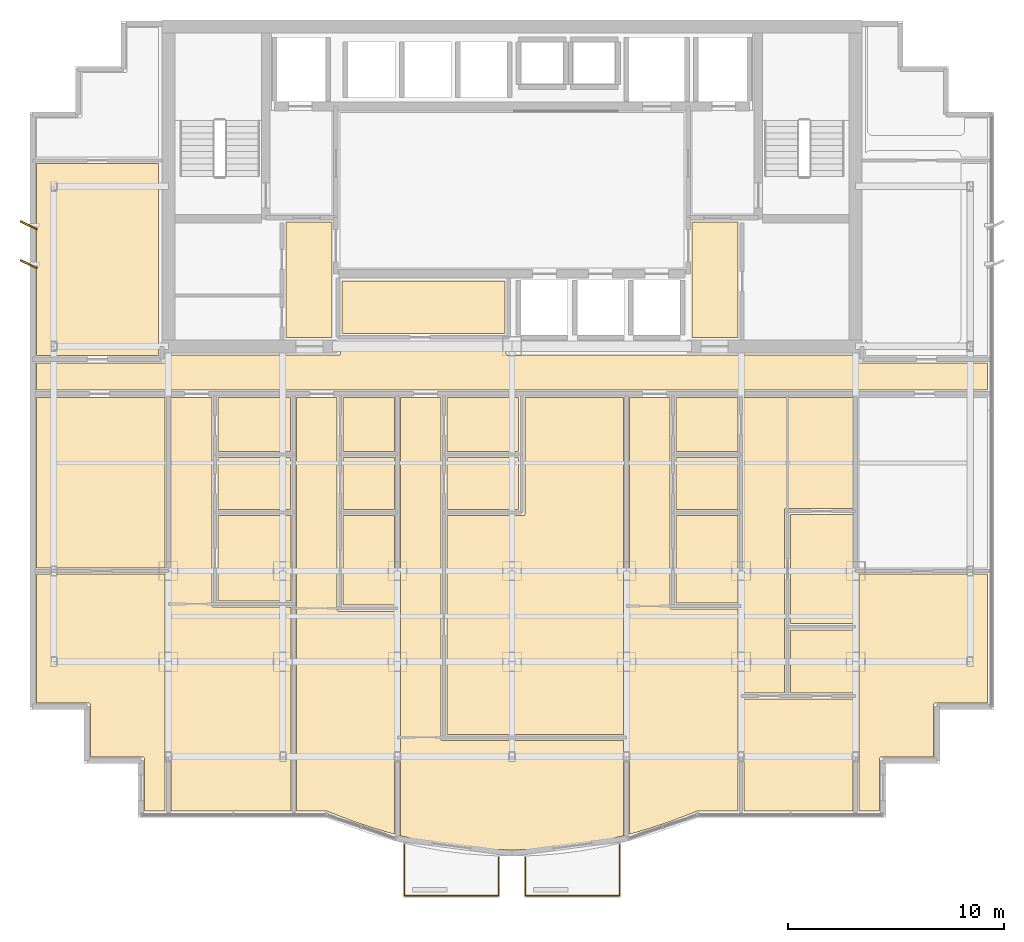
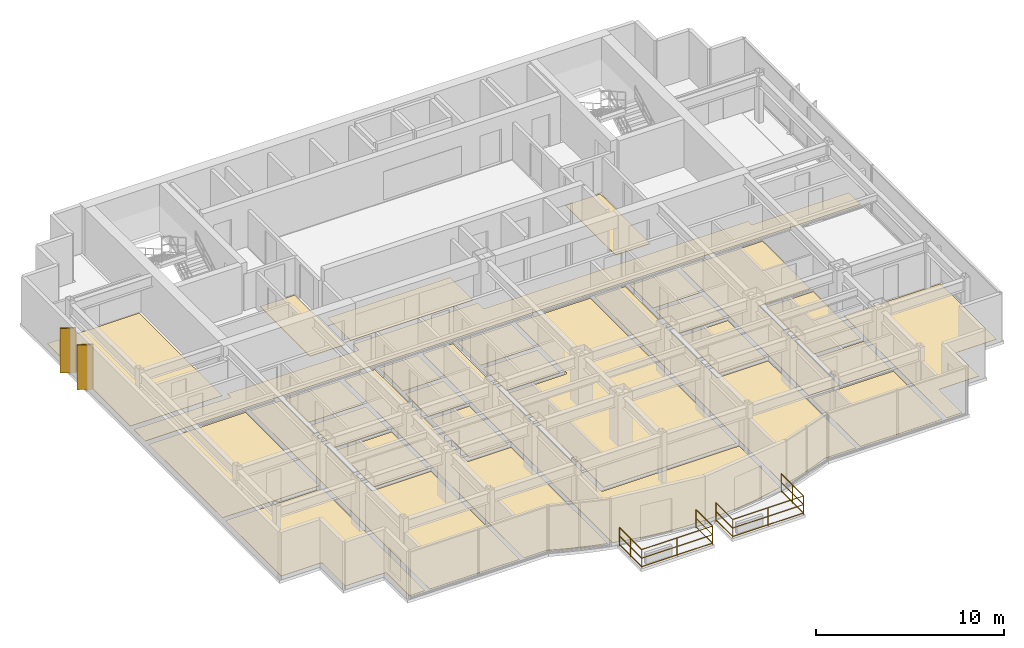
# One storey, part 12 of 13: 28 coverings, 2 railings, 2 shading devices.
"""IFC4 building model written with IfcOpenShell, lengths in metres."""

from ifc_helpers import new_model, si_unit, direction, frame, origin, origin_2d, place, context, subcontext, project, spatial, polyline, rectangle, circle, outline, extrude, source, transform, mapped, material, layer, layer_set, type_object, element, save


model = new_model("IFC4")

# Units and contexts
model_context = context("Model", 3, precision=1e-05, world=origin(), true_north=direction((0.0, 1.0)))
body_context = subcontext(model_context, "Body", "Model", "MODEL_VIEW")
ifc_project = project(units=[si_unit("LENGTHUNIT", "METRE"), si_unit("AREAUNIT", "SQUARE_METRE"), si_unit("VOLUMEUNIT", "CUBIC_METRE"), si_unit("PLANEANGLEUNIT", "RADIAN"), si_unit("MASSUNIT", "GRAM", prefix="KILO")], contexts=[model_context])

# Site, building, storey
site_placement = place(None, origin())
site = spatial("IfcSite", under=ifc_project, at=site_placement, CompositionType="ELEMENT")
building_placement = place(site_placement, origin())
building = spatial("IfcBuilding", under=site, at=building_placement, Name="Qianlan Lanfeng Residences", CompositionType="ELEMENT")
storey_placement = place(building_placement, frame((0.0, 0.0, 139.199951171875)))
storey = spatial("IfcBuildingStorey", under=building, at=storey_placement, Name="L37", CompositionType="ELEMENT", Elevation=139.199951171875)

# Coverings
ifc_material_1 = material(Name="Honed Taitung Granite Stone Flooring", Category="masonry")
ifc_layer_1 = layer(ifc_material_1, 0.030029296875)
ifc_layer_set_1 = layer_set([ifc_layer_1], Name="Honed Taitung Granite Stone Flooring")
covering_type_1 = type_object("IfcCoveringType", Name="FLR-STN-30", PredefinedType="FLOORING", material=ifc_layer_set_1)
covering_1_placement = place(storey_placement, origin())
element("IfcCovering", 1, at=covering_1_placement, inside=storey, type_object=covering_type_1, Name="L37 Residential Corridor Floor Finish", PredefinedType="FLOORING", context=body_context, shape_type="SweptSolid", body=[
    extrude(outline(polyline([(4.489990234375, 23.179931640625), (48.510009765625, 23.179931640625), (48.510009765625, 24.419921875), (42.590087890625, 24.419921875), (42.5830078125, 24.419921875), (42.575927734375, 24.4208984375), (42.570068359375, 24.423095703125), (42.56298828125, 24.425048828125), (42.556884765625, 24.427978515625), (42.551025390625, 24.431884765625), (42.5458984375, 24.43603515625), (42.541015625, 24.44091796875), (42.535888671875, 24.446044921875), (42.531982421875, 24.450927734375), (42.528076171875, 24.45703125), (42.52490234375, 24.462890625), (42.52294921875, 24.469970703125), (42.52099609375, 24.47607421875), (42.52001953125, 24.48291015625), (42.52001953125, 24.489990234375), (42.52001953125, 24.800048828125), (26.300048828125, 24.800048828125), (26.29296875, 24.800048828125), (26.285888671875, 24.801025390625), (26.280029296875, 24.802978515625), (26.27294921875, 24.804931640625), (26.26708984375, 24.80810546875), (26.260986328125, 24.81201171875), (26.256103515625, 24.81591796875), (26.2509765625, 24.821044921875), (26.24609375, 24.825927734375), (26.241943359375, 24.8310546875), (26.238037109375, 24.8369140625), (26.235107421875, 24.843017578125), (26.23291015625, 24.85009765625), (26.23095703125, 24.85595703125), (26.22998046875, 24.863037109375), (26.22998046875, 24.8701171875), (26.22998046875, 25.429931640625), (18.570068359375, 25.429931640625), (18.570068359375, 24.8701171875), (18.570068359375, 24.863037109375), (18.569091796875, 24.85595703125), (18.56689453125, 24.85009765625), (18.56494140625, 24.843017578125), (18.56201171875, 24.8369140625), (18.55810546875, 24.8310546875), (18.553955078125, 24.825927734375), (18.549072265625, 24.821044921875), (18.5439453125, 24.81591796875), (18.5390625, 24.81201171875), (18.532958984375, 24.80810546875), (18.527099609375, 24.804931640625), (18.52001953125, 24.802978515625), (18.513916015625, 24.801025390625), (18.507080078125, 24.800048828125), (18.5, 24.800048828125), (10.47998046875, 24.800048828125), (10.47998046875, 24.489990234375), (10.47998046875, 24.48291015625), (10.47900390625, 24.47607421875), (10.47705078125, 24.469970703125), (10.47509765625, 24.462890625), (10.471923828125, 24.45703125), (10.468017578125, 24.450927734375), (10.464111328125, 24.446044921875), (10.458984375, 24.44091796875), (10.4541015625, 24.43603515625), (10.448974609375, 24.431884765625), (10.443115234375, 24.427978515625), (10.43701171875, 24.425048828125), (10.429931640625, 24.423095703125), (10.424072265625, 24.4208984375), (10.4169921875, 24.419921875), (10.409912109375, 24.419921875), (4.489990234375, 24.419921875), (4.489990234375, 23.179931640625)])), origin(), (0.0, 0.0, 1.0), 0.030029296875),
])
covering_2_placement = place(storey_placement, origin())
element("IfcCovering", 2, at=covering_2_placement, inside=storey, type_object=covering_type_1, Name="L37 Lift Lobby Floor Finish", PredefinedType="FLOORING", context=body_context, shape_type="SweptSolid", body=[
    extrude(outline(polyline([(16.030029296875, 25.610107421875), (18.169921875, 25.610107421875), (18.169921875, 30.949951171875), (16.030029296875, 30.949951171875), (16.030029296875, 25.610107421875)])), origin(), (0.0, 0.0, 1.0), 0.030029296875),
])
covering_3_placement = place(storey_placement, origin())
element("IfcCovering", 3, at=covering_3_placement, inside=storey, type_object=covering_type_1, Name="L37 Lift Lobby Floor Finish", PredefinedType="FLOORING", context=body_context, shape_type="SweptSolid", body=[
    extrude(outline(polyline([(34.830078125, 25.610107421875), (36.969970703125, 25.610107421875), (36.969970703125, 30.949951171875), (34.830078125, 30.949951171875), (34.830078125, 25.610107421875)])), origin(), (0.0, 0.0, 1.0), 0.030029296875),
])
ifc_material_2 = material(Name="Slip-Resistant Porcelain Tile Flooring")
ifc_layer_2 = layer(ifc_material_2, 0.02001953125)
ifc_layer_set_2 = layer_set([ifc_layer_2], Name="Slip-Resistant Porcelain Tile Flooring")
covering_type_2 = type_object("IfcCoveringType", Name="FLR-TIL-20", PredefinedType="FLOORING", material=ifc_layer_set_2)
covering_4_placement = place(storey_placement, origin())
element("IfcCovering", 4, at=covering_4_placement, inside=storey, type_object=covering_type_2, Name="L37 Kitchen Floor Finish", PredefinedType="FLOORING", context=body_context, shape_type="SweptSolid", body=[
    extrude(outline(polyline([(12.889892578125, 17.639892578125), (16.260009765625, 17.639892578125), (16.260009765625, 20.06005859375), (12.889892578125, 20.06005859375), (12.889892578125, 17.639892578125)])), origin(), (0.0, 0.0, 1.0), 0.02001953125),
])
covering_5_placement = place(storey_placement, origin())
element("IfcCovering", 5, at=covering_5_placement, inside=storey, type_object=covering_type_2, Name="L37 Bathroom Floor Finish", PredefinedType="FLOORING", context=body_context, shape_type="SweptSolid", body=[
    extrude(outline(polyline([(12.889892578125, 20.340087890625), (16.260009765625, 20.340087890625), (16.260009765625, 22.830078125), (12.889892578125, 22.830078125), (12.889892578125, 20.340087890625)])), origin(), (0.0, 0.0, 1.0), 0.02001953125),
])
covering_6_placement = place(storey_placement, origin())
element("IfcCovering", 6, at=covering_6_placement, inside=storey, type_object=covering_type_2, Name="L37 Kitchen Floor Finish", PredefinedType="FLOORING", context=body_context, shape_type="SweptSolid", body=[
    extrude(outline(polyline([(18.68994140625, 17.639892578125), (21.06005859375, 17.639892578125), (21.06005859375, 20.06005859375), (18.68994140625, 20.06005859375), (18.68994140625, 17.639892578125)])), origin(), (0.0, 0.0, 1.0), 0.02001953125),
])
covering_7_placement = place(storey_placement, origin())
element("IfcCovering", 7, at=covering_7_placement, inside=storey, type_object=covering_type_2, Name="L37 Bathroom Floor Finish", PredefinedType="FLOORING", context=body_context, shape_type="SweptSolid", body=[
    extrude(outline(polyline([(18.68994140625, 20.340087890625), (21.06005859375, 20.340087890625), (21.06005859375, 22.830078125), (18.68994140625, 22.830078125), (18.68994140625, 20.340087890625)])), origin(), (0.0, 0.0, 1.0), 0.02001953125),
])
covering_8_placement = place(storey_placement, origin())
element("IfcCovering", 8, at=covering_8_placement, inside=storey, type_object=covering_type_2, Name="L37 Kitchen Floor Finish", PredefinedType="FLOORING", context=body_context, shape_type="SweptSolid", body=[
    extrude(outline(polyline([(23.489990234375, 17.639892578125), (26.81005859375, 17.639892578125), (26.81005859375, 20.06005859375), (23.489990234375, 20.06005859375), (23.489990234375, 17.639892578125)])), origin(), (0.0, 0.0, 1.0), 0.02001953125),
])
covering_9_placement = place(storey_placement, origin())
element("IfcCovering", 9, at=covering_9_placement, inside=storey, type_object=covering_type_2, Name="L37 Bathroom Floor Finish", PredefinedType="FLOORING", context=body_context, shape_type="SweptSolid", body=[
    extrude(outline(polyline([(23.489990234375, 20.340087890625), (26.81005859375, 20.340087890625), (26.81005859375, 22.830078125), (23.489990234375, 22.830078125), (23.489990234375, 20.340087890625)])), origin(), (0.0, 0.0, 1.0), 0.02001953125),
])
covering_10_placement = place(storey_placement, origin())
element("IfcCovering", 10, at=covering_10_placement, inside=storey, type_object=covering_type_2, Name="L37 Kitchen Floor Finish", PredefinedType="FLOORING", context=body_context, shape_type="SweptSolid", body=[
    extrude(outline(polyline([(34.090087890625, 17.639892578125), (36.9599609375, 17.639892578125), (36.9599609375, 20.06005859375), (34.090087890625, 20.06005859375), (34.090087890625, 17.639892578125)])), origin(), (0.0, 0.0, 1.0), 0.02001953125),
])
covering_11_placement = place(storey_placement, origin())
element("IfcCovering", 11, at=covering_11_placement, inside=storey, type_object=covering_type_2, Name="L37 Bathroom Floor Finish", PredefinedType="FLOORING", context=body_context, shape_type="SweptSolid", body=[
    extrude(outline(polyline([(34.090087890625, 20.340087890625), (36.9599609375, 20.340087890625), (36.9599609375, 22.830078125), (34.090087890625, 22.830078125), (34.090087890625, 20.340087890625)])), origin(), (0.0, 0.0, 1.0), 0.02001953125),
])
covering_12_placement = place(storey_placement, origin())
element("IfcCovering", 12, at=covering_12_placement, inside=storey, type_object=covering_type_2, Name="L37 En-Suite Bathroom Floor Finish", PredefinedType="FLOORING", context=body_context, shape_type="SweptSolid", body=[
    extrude(outline(polyline([(39.389892578125, 9.159912109375), (42.27001953125, 9.159912109375), (42.27001953125, 12.080078125), (39.389892578125, 12.080078125), (39.389892578125, 9.159912109375)])), origin(), (0.0, 0.0, 1.0), 0.02001953125),
])
ifc_material_3 = material(Name="Engineered Smoked Oak Timber Flooring", Category="wood")
ifc_layer_3 = layer(ifc_material_3, 0.02197265625)
ifc_layer_set_3 = layer_set([ifc_layer_3], Name="Engineered Smoked Oak Timber Flooring")
covering_type_3 = type_object("IfcCoveringType", Name="FLR-TIM-22", PredefinedType="FLOORING", material=ifc_layer_set_3)
covering_13_placement = place(storey_placement, origin())
element("IfcCovering", 13, at=covering_13_placement, inside=storey, type_object=covering_type_3, Name="L37 Gallery Salon Floor Finish", PredefinedType="FLOORING", context=body_context, shape_type="SweptSolid", body=[
    extrude(outline(polyline([(18.6298828125, 25.800048828125), (26.169921875, 25.800048828125), (26.169921875, 28.22998046875), (18.6298828125, 28.22998046875), (18.6298828125, 25.800048828125)])), origin(), (0.0, 0.0, 1.0), 0.02197265625),
])
covering_14_placement = place(storey_placement, origin())
element("IfcCovering", 14, at=covering_14_placement, inside=storey, type_object=covering_type_3, Name="L37 Studio Living Room Floor Finish", PredefinedType="FLOORING", context=body_context, shape_type="SweptSolid", body=[
    extrude(outline(polyline([(16.27001953125, 3.68994140625), (16.27001953125, 13.135009765625), (12.679931640625, 13.135009765625), (12.673095703125, 13.135009765625), (12.666015625, 13.135986328125), (12.659912109375, 13.137939453125), (12.653076171875, 13.139892578125), (12.64697265625, 13.14306640625), (12.64111328125, 13.14697265625), (12.635986328125, 13.15087890625), (12.631103515625, 13.156005859375), (12.6259765625, 13.160888671875), (12.6220703125, 13.166015625), (12.617919921875, 13.172119140625), (12.614990234375, 13.177978515625), (12.613037109375, 13.18505859375), (12.611083984375, 13.19091796875), (12.610107421875, 13.197998046875), (12.610107421875, 13.205078125), (12.610107421875, 22.830078125), (10.72998046875, 22.830078125), (10.72998046875, 3.68994140625), (16.27001953125, 3.68994140625)])), origin(), (0.0, 0.0, 1.0), 0.02197265625),
])
covering_15_placement = place(storey_placement, origin())
element("IfcCovering", 15, at=covering_15_placement, inside=storey, type_object=covering_type_3, Name="L37 Villa Family Sitting Room Floor Finish", PredefinedType="FLOORING", context=body_context, shape_type="SweptSolid", body=[
    extrude(outline(polyline([(12.889892578125, 17.360107421875), (12.889892578125, 13.4150390625), (16.27001953125, 13.4150390625), (16.27001953125, 17.360107421875), (12.889892578125, 17.360107421875)])), origin(), (0.0, 0.0, 1.0), 0.02197265625),
])
covering_16_placement = place(storey_placement, origin())
element("IfcCovering", 16, at=covering_16_placement, inside=storey, type_object=covering_type_3, Name="L37 Studio Living Room Floor Finish", PredefinedType="FLOORING", context=body_context, shape_type="SweptSolid", body=[
    extrude(outline(polyline([(21.070068359375, 2.616943359375), (21.070068359375, 12.93603515625), (18.47998046875, 12.93603515625), (18.472900390625, 12.93603515625), (18.466064453125, 12.93701171875), (18.4599609375, 12.93896484375), (18.452880859375, 12.94091796875), (18.447021484375, 12.944091796875), (18.44091796875, 12.947998046875), (18.43603515625, 12.951904296875), (18.430908203125, 12.95703125), (18.426025390625, 12.9619140625), (18.422119140625, 12.967041015625), (18.41796875, 12.972900390625), (18.4150390625, 12.97900390625), (18.4130859375, 12.986083984375), (18.410888671875, 12.991943359375), (18.409912109375, 12.9990234375), (18.409912109375, 13.006103515625), (18.409912109375, 22.830078125), (16.530029296875, 22.830078125), (16.530029296875, 3.68994140625), (17.922119140625, 3.68994140625), (17.927978515625, 3.68994140625), (17.93505859375, 3.68896484375), (17.94091796875, 3.68701171875), (17.947021484375, 3.68505859375), (19.056884765625, 3.25), (20.1220703125, 2.888916015625), (21.070068359375, 2.616943359375)])), origin(), (0.0, 0.0, 1.0), 0.02197265625),
])
covering_17_placement = place(storey_placement, origin())
element("IfcCovering", 17, at=covering_17_placement, inside=storey, type_object=covering_type_3, Name="L37 Private Study Floor Finish", PredefinedType="FLOORING", context=body_context, shape_type="SweptSolid", body=[
    extrude(outline(polyline([(18.68994140625, 17.360107421875), (18.68994140625, 13.216064453125), (21.070068359375, 13.216064453125), (21.070068359375, 17.360107421875), (18.68994140625, 17.360107421875)])), origin(), (0.0, 0.0, 1.0), 0.02197265625),
])
covering_18_placement = place(storey_placement, origin())
element("IfcCovering", 18, at=covering_18_placement, inside=storey, type_object=covering_type_3, Name="L37 Studio Living Room Floor Finish", PredefinedType="FLOORING", context=body_context, shape_type="SweptSolid", body=[
    extrude(outline(polyline([(31.669921875, 2.550048828125), (31.669921875, 6.962890625), (23.280029296875, 6.962890625), (23.27294921875, 6.962890625), (23.26611328125, 6.964111328125), (23.260009765625, 6.966064453125), (23.2529296875, 6.968017578125), (23.2470703125, 6.970947265625), (23.240966796875, 6.97509765625), (23.236083984375, 6.97900390625), (23.23095703125, 6.98388671875), (23.22607421875, 6.989013671875), (23.221923828125, 6.993896484375), (23.218017578125, 7.0), (23.215087890625, 7.006103515625), (23.212890625, 7.012939453125), (23.2109375, 7.01904296875), (23.2099609375, 7.02587890625), (23.2099609375, 7.032958984375), (23.2099609375, 22.830078125), (21.330078125, 22.830078125), (21.330078125, 2.550048828125), (22.2490234375, 2.333984375), (23.31201171875, 2.139892578125), (24.375, 2.001953125), (25.43701171875, 1.91796875), (26.5, 1.889892578125), (27.56298828125, 1.91796875), (28.625, 2.0009765625), (29.68701171875, 2.139892578125), (30.7509765625, 2.333984375), (31.669921875, 2.550048828125)])), origin(), (0.0, 0.0, 1.0), 0.02197265625),
])
covering_19_placement = place(storey_placement, origin())
element("IfcCovering", 19, at=covering_19_placement, inside=storey, type_object=covering_type_3, Name="L37 Villa Family Sitting Room Floor Finish", PredefinedType="FLOORING", context=body_context, shape_type="SweptSolid", body=[
    extrude(outline(polyline([(23.489990234375, 7.242919921875), (31.669921875, 7.242919921875), (31.669921875, 22.830078125), (27.090087890625, 22.830078125), (27.090087890625, 17.429931640625), (27.090087890625, 17.423095703125), (27.089111328125, 17.416015625), (27.0869140625, 17.409912109375), (27.0849609375, 17.403076171875), (27.08203125, 17.39697265625), (27.077880859375, 17.39111328125), (27.073974609375, 17.385986328125), (27.069091796875, 17.381103515625), (27.06396484375, 17.3759765625), (27.05908203125, 17.3720703125), (27.052978515625, 17.367919921875), (27.047119140625, 17.364990234375), (27.0400390625, 17.363037109375), (27.033935546875, 17.361083984375), (27.027099609375, 17.360107421875), (27.02001953125, 17.360107421875), (23.489990234375, 17.360107421875), (23.489990234375, 7.242919921875)])), origin(), (0.0, 0.0, 1.0), 0.02197265625),
])
covering_20_placement = place(storey_placement, origin())
element("IfcCovering", 20, at=covering_20_placement, inside=storey, type_object=covering_type_3, Name="L37 Living and Dining Room Floor Finish", PredefinedType="FLOORING", context=body_context, shape_type="SweptSolid", body=[
    extrude(outline(polyline([(36.969970703125, 3.68994140625), (36.969970703125, 13.033935546875), (33.8798828125, 13.033935546875), (33.873046875, 13.033935546875), (33.865966796875, 13.034912109375), (33.860107421875, 13.037109375), (33.85302734375, 13.0390625), (33.846923828125, 13.0419921875), (33.841064453125, 13.0458984375), (33.8359375, 13.050048828125), (33.8310546875, 13.054931640625), (33.825927734375, 13.06005859375), (33.822021484375, 13.06494140625), (33.818115234375, 13.071044921875), (33.81494140625, 13.076904296875), (33.81298828125, 13.083984375), (33.81103515625, 13.090087890625), (33.81005859375, 13.096923828125), (33.81005859375, 13.10400390625), (33.81005859375, 22.830078125), (31.929931640625, 22.830078125), (31.929931640625, 2.616943359375), (32.8779296875, 2.888916015625), (33.94189453125, 3.25), (35.052978515625, 3.68505859375), (35.05908203125, 3.68701171875), (35.06494140625, 3.68896484375), (35.072021484375, 3.68994140625), (35.077880859375, 3.68994140625), (36.969970703125, 3.68994140625)])), origin(), (0.0, 0.0, 1.0), 0.02197265625),
])
covering_21_placement = place(storey_placement, origin())
element("IfcCovering", 21, at=covering_21_placement, inside=storey, type_object=covering_type_3, Name="L37 Villa Family Sitting Room Floor Finish", PredefinedType="FLOORING", context=body_context, shape_type="SweptSolid", body=[
    extrude(outline(polyline([(34.090087890625, 17.360107421875), (34.090087890625, 13.31396484375), (36.969970703125, 13.31396484375), (36.969970703125, 17.360107421875), (34.090087890625, 17.360107421875)])), origin(), (0.0, 0.0, 1.0), 0.02197265625),
])
covering_22_placement = place(storey_placement, origin())
element("IfcCovering", 22, at=covering_22_placement, inside=storey, type_object=covering_type_3, Name="L37 Private Study Floor Finish", PredefinedType="FLOORING", context=body_context, shape_type="SweptSolid", body=[
    extrude(outline(polyline([(39.389892578125, 12.360107421875), (42.27001953125, 12.360107421875), (42.27001953125, 17.419921875), (39.389892578125, 17.419921875), (39.389892578125, 12.360107421875)])), origin(), (0.0, 0.0, 1.0), 0.02197265625),
])
covering_23_placement = place(storey_placement, origin())
element("IfcCovering", 23, at=covering_23_placement, inside=storey, type_object=covering_type_3, Name="L37 Villa Family Sitting Room Floor Finish", PredefinedType="FLOORING", context=body_context, shape_type="SweptSolid", body=[
    extrude(outline(polyline([(37.22998046875, 9.159912109375), (39.110107421875, 9.159912109375), (39.110107421875, 17.6298828125), (39.110107421875, 17.636962890625), (39.111083984375, 17.64404296875), (39.113037109375, 17.64990234375), (39.114990234375, 17.656982421875), (39.117919921875, 17.6630859375), (39.1220703125, 17.6689453125), (39.1259765625, 17.674072265625), (39.131103515625, 17.678955078125), (39.135986328125, 17.68408203125), (39.14111328125, 17.68798828125), (39.14697265625, 17.69189453125), (39.153076171875, 17.695068359375), (39.159912109375, 17.697021484375), (39.166015625, 17.698974609375), (39.173095703125, 17.699951171875), (39.179931640625, 17.699951171875), (42.27001953125, 17.699951171875), (42.27001953125, 22.830078125), (37.22998046875, 22.830078125), (37.22998046875, 9.159912109375)])), origin(), (0.0, 0.0, 1.0), 0.02197265625),
])
covering_24_placement = place(storey_placement, origin())
element("IfcCovering", 24, at=covering_24_placement, inside=storey, type_object=covering_type_3, Name="L37 Master Bedroom Floor Finish", PredefinedType="FLOORING", context=body_context, shape_type="SweptSolid", body=[
    extrude(outline(polyline([(37.22998046875, 8.8798828125), (37.22998046875, 3.68994140625), (42.27001953125, 3.68994140625), (42.27001953125, 8.8798828125), (37.22998046875, 8.8798828125)])), origin(), (0.0, 0.0, 1.0), 0.02197265625),
])
covering_25_placement = place(storey_placement, origin())
element("IfcCovering", 25, at=covering_25_placement, inside=storey, type_object=covering_type_3, Name="L37 Sunroom Floor Finish", PredefinedType="FLOORING", context=body_context, shape_type="SweptSolid", body=[
    extrude(outline(polyline([(10.43994140625, 14.64990234375), (4.489990234375, 14.64990234375), (4.489990234375, 8.68994140625), (6.919921875, 8.68994140625), (6.927001953125, 8.68994140625), (6.93408203125, 8.68896484375), (6.93994140625, 8.68701171875), (6.947021484375, 8.68505859375), (6.952880859375, 8.681884765625), (6.958984375, 8.677978515625), (6.964111328125, 8.674072265625), (6.968994140625, 8.6689453125), (6.97412109375, 8.6640625), (6.97802734375, 8.658935546875), (6.98193359375, 8.653076171875), (6.985107421875, 8.64697265625), (6.987060546875, 8.639892578125), (6.989013671875, 8.634033203125), (6.989990234375, 8.626953125), (6.989990234375, 8.6201171875), (6.989990234375, 6.18994140625), (9.419921875, 6.18994140625), (9.427001953125, 6.18994140625), (9.43408203125, 6.18896484375), (9.43994140625, 6.18701171875), (9.447021484375, 6.18505859375), (9.452880859375, 6.181884765625), (9.458984375, 6.177978515625), (9.464111328125, 6.174072265625), (9.468994140625, 6.1689453125), (9.47412109375, 6.1640625), (9.47802734375, 6.158935546875), (9.48193359375, 6.153076171875), (9.485107421875, 6.14697265625), (9.487060546875, 6.139892578125), (9.489013671875, 6.134033203125), (9.489990234375, 6.126953125), (9.489990234375, 6.1201171875), (9.489990234375, 3.68994140625), (10.43994140625, 3.68994140625), (10.43994140625, 14.64990234375)])), origin(), (0.0, 0.0, 1.0), 0.02197265625),
])
covering_26_placement = place(storey_placement, origin())
element("IfcCovering", 26, at=covering_26_placement, inside=storey, type_object=covering_type_3, Name="L37 Family Sitting Room Floor Finish", PredefinedType="FLOORING", context=body_context, shape_type="SweptSolid", body=[
    extrude(outline(polyline([(10.43994140625, 22.830078125), (4.489990234375, 22.830078125), (4.489990234375, 14.949951171875), (10.43994140625, 14.949951171875), (10.43994140625, 22.830078125)])), origin(), (0.0, 0.0, 1.0), 0.02197265625),
])
covering_27_placement = place(storey_placement, origin())
element("IfcCovering", 27, at=covering_27_placement, inside=storey, type_object=covering_type_3, Name="L37 Sunroom Floor Finish", PredefinedType="FLOORING", context=body_context, shape_type="SweptSolid", body=[
    extrude(outline(polyline([(48.510009765625, 14.64990234375), (42.56005859375, 14.64990234375), (42.56005859375, 3.68994140625), (43.510009765625, 3.68994140625), (43.510009765625, 6.1201171875), (43.510009765625, 6.126953125), (43.510986328125, 6.134033203125), (43.512939453125, 6.139892578125), (43.514892578125, 6.14697265625), (43.51806640625, 6.153076171875), (43.52197265625, 6.158935546875), (43.52587890625, 6.1640625), (43.531005859375, 6.1689453125), (43.535888671875, 6.174072265625), (43.541015625, 6.177978515625), (43.547119140625, 6.181884765625), (43.552978515625, 6.18505859375), (43.56005859375, 6.18701171875), (43.56591796875, 6.18896484375), (43.572998046875, 6.18994140625), (43.580078125, 6.18994140625), (46.010009765625, 6.18994140625), (46.010009765625, 8.6201171875), (46.010009765625, 8.626953125), (46.010986328125, 8.634033203125), (46.012939453125, 8.639892578125), (46.014892578125, 8.64697265625), (46.01806640625, 8.653076171875), (46.02197265625, 8.658935546875), (46.02587890625, 8.6640625), (46.031005859375, 8.6689453125), (46.035888671875, 8.674072265625), (46.041015625, 8.677978515625), (46.047119140625, 8.681884765625), (46.052978515625, 8.68505859375), (46.06005859375, 8.68701171875), (46.06591796875, 8.68896484375), (46.072998046875, 8.68994140625), (46.080078125, 8.68994140625), (48.510009765625, 8.68994140625), (48.510009765625, 14.64990234375)])), origin(), (0.0, 0.0, 1.0), 0.02197265625),
])
covering_28_placement = place(storey_placement, origin())
element("IfcCovering", 28, at=covering_28_placement, inside=storey, type_object=covering_type_3, Name="L37 Sky Lounge Floor Finish", PredefinedType="FLOORING", context=body_context, shape_type="SweptSolid", body=[
    extrude(outline(polyline([(10.14990234375, 33.64990234375), (4.489990234375, 33.64990234375), (4.489990234375, 24.780029296875), (10.14990234375, 24.780029296875), (10.14990234375, 33.64990234375)])), origin(), (0.0, 0.0, 1.0), 0.02197265625),
])

# Railings
ifc_material_4 = material(Name="Anodised Bronze Aluminium and Laminated Glass Guard Balustrade", Category="aluminium")
railing_type = type_object("IfcRailingType", Name="GR-EXT-1220", PredefinedType="BALUSTRADE", material=ifc_material_4)
railing_1_placement = place(storey_placement, frame((25.8798828125, 1.5458984375, 0.0)))
element("IfcRailing", 29, at=railing_1_placement, inside=storey, type_object=railing_type, Name="L37 Terrace Safety Guard GR-L37-SB-W", PredefinedType="BALUSTRADE", context=body_context, shape_type="SweptSolid", body=[
    extrude(circle(Radius=0.02490234375, at=origin_2d()), frame((0.0, 0.0, 0.0849609375), z_axis=(0.0, -1.0, 0.0), x_axis=(1.0, 0.0, 0.0)), (0.0, 0.0, 1.0), 1.77587890625),
    extrude(circle(Radius=0.02490234375, at=origin_2d()), frame((0.0, 0.0, 0.63427734375), z_axis=(0.0, -1.0, 0.0), x_axis=(1.0, 0.0, 0.0)), (0.0, 0.0, 1.0), 1.77587890625),
    extrude(circle(Radius=0.02490234375, at=origin_2d()), frame((0.0, 0.0, 1.19482421875), z_axis=(0.0, -1.0, 0.0), x_axis=(1.0, 0.0, 0.0)), (0.0, 0.0, 1.0), 1.77587890625),
    extrude(circle(Radius=0.02490234375, at=origin_2d()), frame((0.0, -1.77587890625, 0.0849609375), z_axis=(-1.0, 0.0, 0.0), x_axis=(0.0, -1.0, 0.0)), (0.0, 0.0, 1.0), 4.35986328125),
    extrude(circle(Radius=0.02490234375, at=origin_2d()), frame((0.0, -1.77587890625, 0.63427734375), z_axis=(-1.0, 0.0, 0.0), x_axis=(0.0, -1.0, 0.0)), (0.0, 0.0, 1.0), 4.35986328125),
    extrude(circle(Radius=0.02490234375, at=origin_2d()), frame((0.0, -1.77587890625, 1.19482421875), z_axis=(-1.0, 0.0, 0.0), x_axis=(0.0, -1.0, 0.0)), (0.0, 0.0, 1.0), 4.35986328125),
    extrude(circle(Radius=0.02490234375, at=origin_2d()), frame((-4.35986328125, -1.77587890625, 0.0849609375), z_axis=(0.0, 1.0, 0.0), x_axis=(-1.0, 0.0, 0.0)), (0.0, 0.0, 1.0), 2.365966796875),
    extrude(circle(Radius=0.02490234375, at=origin_2d()), frame((-4.35986328125, -1.77587890625, 0.63427734375), z_axis=(0.0, 1.0, 0.0), x_axis=(-1.0, 0.0, 0.0)), (0.0, 0.0, 1.0), 2.365966796875),
    extrude(circle(Radius=0.02490234375, at=origin_2d()), frame((-4.35986328125, -1.77587890625, 1.19482421875), z_axis=(0.0, 1.0, 0.0), x_axis=(-1.0, 0.0, 0.0)), (0.0, 0.0, 1.0), 2.365966796875),
    extrude(circle(Radius=0.02099609375, at=origin_2d()), origin(), (0.0, 0.0, 1.0), 1.169921875),
    extrude(circle(Radius=0.02099609375, at=origin_2d()), frame((0.0, -1.77587890625, 0.0)), (0.0, 0.0, 1.0), 1.169921875),
    extrude(circle(Radius=0.02099609375, at=origin_2d()), frame((-2.179931640625, -1.77587890625, 0.0)), (0.0, 0.0, 1.0), 1.169921875),
    extrude(circle(Radius=0.02099609375, at=origin_2d()), frame((-4.35986328125, -1.77587890625, 0.0)), (0.0, 0.0, 1.0), 1.169921875),
    extrude(circle(Radius=0.02099609375, at=origin_2d()), frame((-4.35986328125, -0.5927734375, 0.0)), (0.0, 0.0, 1.0), 1.169921875),
    extrude(circle(Radius=0.02099609375, at=origin_2d()), frame((-4.35986328125, 0.590087890625, 0.0)), (0.0, 0.0, 1.0), 1.169921875),
])
railing_2_placement = place(storey_placement, frame((31.47998046875, 2.135986328125, 0.0)))
element("IfcRailing", 30, at=railing_2_placement, inside=storey, type_object=railing_type, Name="L37 Terrace Safety Guard GR-L37-SB-E", PredefinedType="BALUSTRADE", context=body_context, shape_type="SweptSolid", body=[
    extrude(circle(Radius=0.02490234375, at=origin_2d()), frame((0.0, 0.0, 0.0849609375), z_axis=(0.0, -1.0, 0.0), x_axis=(1.0, 0.0, 0.0)), (0.0, 0.0, 1.0), 2.365966796875),
    extrude(circle(Radius=0.02490234375, at=origin_2d()), frame((0.0, 0.0, 0.63427734375), z_axis=(0.0, -1.0, 0.0), x_axis=(1.0, 0.0, 0.0)), (0.0, 0.0, 1.0), 2.365966796875),
    extrude(circle(Radius=0.02490234375, at=origin_2d()), frame((0.0, 0.0, 1.19482421875), z_axis=(0.0, -1.0, 0.0), x_axis=(1.0, 0.0, 0.0)), (0.0, 0.0, 1.0), 2.365966796875),
    extrude(circle(Radius=0.02490234375, at=origin_2d()), frame((0.0, -2.365966796875, 0.0849609375), z_axis=(-1.0, 0.0, 0.0), x_axis=(0.0, -1.0, 0.0)), (0.0, 0.0, 1.0), 4.35986328125),
    extrude(circle(Radius=0.02490234375, at=origin_2d()), frame((0.0, -2.365966796875, 0.63427734375), z_axis=(-1.0, 0.0, 0.0), x_axis=(0.0, -1.0, 0.0)), (0.0, 0.0, 1.0), 4.35986328125),
    extrude(circle(Radius=0.02490234375, at=origin_2d()), frame((0.0, -2.365966796875, 1.19482421875), z_axis=(-1.0, 0.0, 0.0), x_axis=(0.0, -1.0, 0.0)), (0.0, 0.0, 1.0), 4.35986328125),
    extrude(circle(Radius=0.02490234375, at=origin_2d()), frame((-4.35986328125, -2.365966796875, 0.0849609375), z_axis=(0.0, 1.0, 0.0), x_axis=(-1.0, 0.0, 0.0)), (0.0, 0.0, 1.0), 1.77587890625),
    extrude(circle(Radius=0.02490234375, at=origin_2d()), frame((-4.35986328125, -2.365966796875, 0.63427734375), z_axis=(0.0, 1.0, 0.0), x_axis=(-1.0, 0.0, 0.0)), (0.0, 0.0, 1.0), 1.77587890625),
    extrude(circle(Radius=0.02490234375, at=origin_2d()), frame((-4.35986328125, -2.365966796875, 1.19482421875), z_axis=(0.0, 1.0, 0.0), x_axis=(-1.0, 0.0, 0.0)), (0.0, 0.0, 1.0), 1.77587890625),
    extrude(circle(Radius=0.02099609375, at=origin_2d()), origin(), (0.0, 0.0, 1.0), 1.169921875),
    extrude(circle(Radius=0.02099609375, at=origin_2d()), frame((0.0, -1.18310546875, 0.0)), (0.0, 0.0, 1.0), 1.169921875),
    extrude(circle(Radius=0.02099609375, at=origin_2d()), frame((0.0, -2.365966796875, 0.0)), (0.0, 0.0, 1.0), 1.169921875),
    extrude(circle(Radius=0.02099609375, at=origin_2d()), frame((-2.179931640625, -2.365966796875, 0.0)), (0.0, 0.0, 1.0), 1.169921875),
    extrude(circle(Radius=0.02099609375, at=origin_2d()), frame((-4.35986328125, -2.365966796875, 0.0)), (0.0, 0.0, 1.0), 1.169921875),
    extrude(circle(Radius=0.02099609375, at=origin_2d()), frame((-4.35986328125, -0.590087890625, 0.0)), (0.0, 0.0, 1.0), 1.169921875),
])

# Shading devices
ifc_material_5 = material(Name="Anodised Bronze Aluminium Solar Fin", Category="aluminium")
shading_device_type = type_object("IfcShadingDeviceType", Name="FIN-BRZ-850", PredefinedType="SHUTTER", material=ifc_material_5)
shared_shape = source(origin(), body_context, "Body", "SweptSolid", [
    extrude(rectangle(XDim=0.85009765625, YDim=0.080078125, at=origin_2d()), origin(), (0.0, 0.0, 1.0), 2.89990234375),
])
for number, where, z_axis, x_axis, name in (
    (31, (4.1298828125, 29.0, 0.0), (0.0, 0.0, 1.0), (0.898794046299, -0.438371146789, 0.0), "L37 Raked Bronze Solar Fin W1"),
    (32, (4.1298828125, 30.800048828125, 0.0), (0.0, 0.0, 1.0), (0.898794046299, -0.438371146789, 0.0), "L37 Raked Bronze Solar Fin W2"),
):
    element("IfcShadingDevice", number, at=place(storey_placement, frame(where, z_axis=z_axis, x_axis=x_axis)), inside=storey, type_object=shading_device_type, Name=name, PredefinedType="SHUTTER", context=body_context, shape_type="MappedRepresentation", body=[
        mapped(shared_shape, transform((0.0, 0.0, 0.0), scale=1.0)),
    ])

save(model, "model.ifc")
